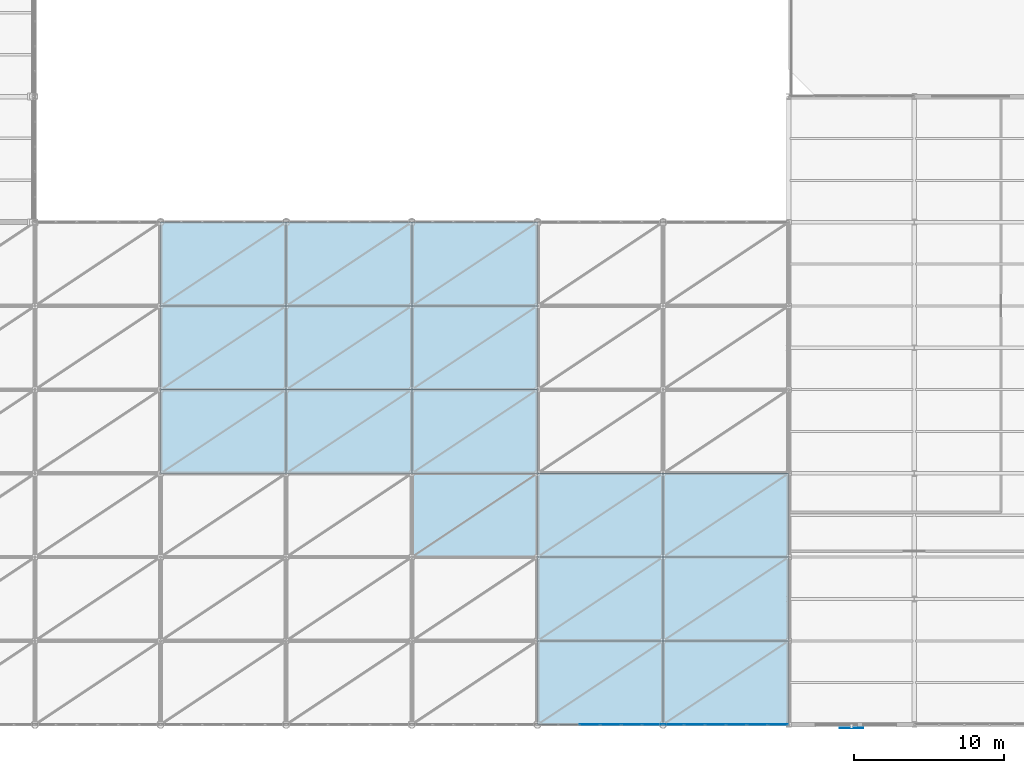
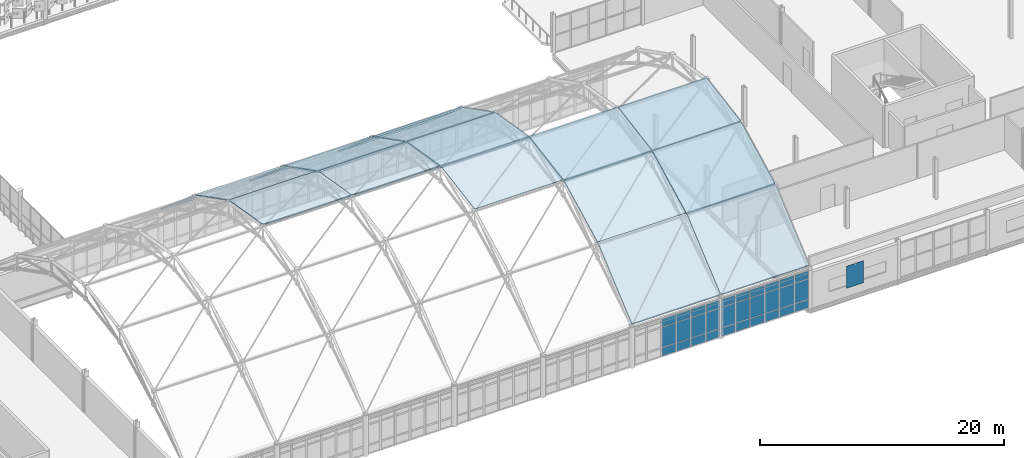
# One storey, part 139 of 184: 47 plates, 15 slabs, 3 elements without a shape of their own.
"""IFC4 building model written with IfcOpenShell, lengths in metres."""

from ifc_helpers import new_model, si_unit, direction, frame, origin, origin_2d, place, context, subcontext, project, spatial, polyline, rectangle, outline, extrude, material, layer, layer_set, type_object, element, aggregate, save


model = new_model("IFC4")

# Units and contexts
model_context = context("Model", 3, precision=1e-05, world=origin(), true_north=direction((0.0, 1.0)))
body_context = subcontext(model_context, "Body", "Model", "MODEL_VIEW")
ifc_project = project(units=[si_unit("LENGTHUNIT", "METRE"), si_unit("AREAUNIT", "SQUARE_METRE"), si_unit("VOLUMEUNIT", "CUBIC_METRE"), si_unit("PLANEANGLEUNIT", "RADIAN"), si_unit("MASSUNIT", "GRAM", prefix="KILO")], contexts=[model_context])

# Site, building, storey
site_placement = place(None, origin())
site = spatial("IfcSite", under=ifc_project, at=site_placement, CompositionType="ELEMENT")
building_placement = place(site_placement, origin())
building = spatial("IfcBuilding", under=site, at=building_placement, Name="Qalvenar Corner Mobility Hub", CompositionType="ELEMENT")
storey_placement = place(building_placement, frame((0.0, 0.0, 9.0)))
storey = spatial("IfcBuildingStorey", under=building, at=storey_placement, Name="L02", CompositionType="ELEMENT", Elevation=9.0)

# Curtain wall, plates
ifc_material_1 = material(Name="Anodised Aluminium and Low-E Glazing", Category="aluminium")
ifc_layer_1 = layer(ifc_material_1, 0.179931640625)
ifc_layer_set_1 = layer_set([ifc_layer_1], Name="Anodised Aluminium and Low-E Glazing")
curtain_wall_type = type_object("IfcCurtainWallType", Name="CW-CONC-84X42", PredefinedType="NOTDEFINED", material=ifc_layer_set_1)
curtain_wall_1_placement = place(storey_placement, origin())
curtain_wall_1 = element("IfcCurtainWall", 1, at=curtain_wall_1_placement, inside=storey, type_object=curtain_wall_type, Name="Glazed Curtain Wall CW-V1-L02-S5", PredefinedType="NOTDEFINED")
ifc_material_2 = material(Name="Solar-Control Low-E Double Glazing", Category="glass")
ifc_layer_2 = layer(ifc_material_2, 0.028076171875)
ifc_layer_set_2 = layer_set([ifc_layer_2], Name="Solar-Control Low-E Double Glazing")
plate_type_1 = type_object("IfcPlateType", Name="PLT-CWP-GLZ1", PredefinedType="CURTAIN_PANEL", material=ifc_layer_set_2)
plate_1_placement = place(storey_placement, frame((95.89990234375, 0.0, 0.05517578125), z_axis=(0.0, 0.0, 1.0), x_axis=(1.0, 0.0, 0.0)))
plate_1 = element("IfcPlate", 2, at=plate_1_placement, type_object=plate_type_1, Name="CW-02 panel 3.1", PredefinedType="CURTAIN_PANEL", context=body_context, shape_type="SweptSolid", body=[
    extrude(rectangle(XDim=1.340087890625, YDim=0.028076171875, at=origin_2d()), origin(), (0.0, 0.0, 1.0), 0.8173828125),
])
plate_2_placement = place(storey_placement, frame((95.89990234375, 0.0, 0.927490234375), z_axis=(0.0, 0.0, 1.0), x_axis=(1.0, 0.0, 0.0)))
plate_2 = element("IfcPlate", 3, at=plate_2_placement, type_object=plate_type_1, Name="CW-02 panel 3.2", PredefinedType="CURTAIN_PANEL", context=body_context, shape_type="SweptSolid", body=[
    extrude(rectangle(XDim=1.340087890625, YDim=0.028076171875, at=origin_2d()), origin(), (0.0, 0.0, 1.0), 1.9951171875),
])
plate_3_placement = place(storey_placement, frame((95.89990234375, 0.0, 2.9775390625), z_axis=(0.0, 0.0, 1.0), x_axis=(1.0, 0.0, 0.0)))
plate_3 = element("IfcPlate", 4, at=plate_3_placement, type_object=plate_type_1, Name="CW-02 panel 3.3", PredefinedType="CURTAIN_PANEL", context=body_context, shape_type="SweptSolid", body=[
    extrude(rectangle(XDim=1.340087890625, YDim=0.028076171875, at=origin_2d()), origin(), (0.0, 0.0, 1.0), 0.767578125),
])
plate_4_placement = place(storey_placement, frame((97.300048828125, 0.0, 0.05517578125), z_axis=(0.0, 0.0, 1.0), x_axis=(1.0, 0.0, 0.0)))
plate_4 = element("IfcPlate", 5, at=plate_4_placement, type_object=plate_type_1, Name="CW-02 panel 4.1", PredefinedType="CURTAIN_PANEL", context=body_context, shape_type="SweptSolid", body=[
    extrude(rectangle(XDim=1.340087890625, YDim=0.028076171875, at=origin_2d()), origin(), (0.0, 0.0, 1.0), 0.8173828125),
])
plate_5_placement = place(storey_placement, frame((97.300048828125, 0.0, 0.927490234375), z_axis=(0.0, 0.0, 1.0), x_axis=(1.0, 0.0, 0.0)))
plate_5 = element("IfcPlate", 6, at=plate_5_placement, type_object=plate_type_1, Name="CW-02 panel 4.2", PredefinedType="CURTAIN_PANEL", context=body_context, shape_type="SweptSolid", body=[
    extrude(rectangle(XDim=1.340087890625, YDim=0.028076171875, at=origin_2d()), origin(), (0.0, 0.0, 1.0), 1.9951171875),
])
plate_6_placement = place(storey_placement, frame((97.300048828125, 0.0, 2.9775390625), z_axis=(0.0, 0.0, 1.0), x_axis=(1.0, 0.0, 0.0)))
plate_6 = element("IfcPlate", 7, at=plate_6_placement, type_object=plate_type_1, Name="CW-02 panel 4.3", PredefinedType="CURTAIN_PANEL", context=body_context, shape_type="SweptSolid", body=[
    extrude(rectangle(XDim=1.340087890625, YDim=0.028076171875, at=origin_2d()), origin(), (0.0, 0.0, 1.0), 0.767578125),
])
plate_7_placement = place(storey_placement, frame((98.699951171875, 0.0, 0.05517578125), z_axis=(0.0, 0.0, 1.0), x_axis=(1.0, 0.0, 0.0)))
plate_7 = element("IfcPlate", 8, at=plate_7_placement, type_object=plate_type_1, Name="CW-02 panel 5.1", PredefinedType="CURTAIN_PANEL", context=body_context, shape_type="SweptSolid", body=[
    extrude(rectangle(XDim=1.340087890625, YDim=0.028076171875, at=origin_2d()), origin(), (0.0, 0.0, 1.0), 0.8173828125),
])
plate_8_placement = place(storey_placement, frame((98.699951171875, 0.0, 0.927490234375), z_axis=(0.0, 0.0, 1.0), x_axis=(1.0, 0.0, 0.0)))
plate_8 = element("IfcPlate", 9, at=plate_8_placement, type_object=plate_type_1, Name="CW-02 panel 5.2", PredefinedType="CURTAIN_PANEL", context=body_context, shape_type="SweptSolid", body=[
    extrude(rectangle(XDim=1.340087890625, YDim=0.028076171875, at=origin_2d()), origin(), (0.0, 0.0, 1.0), 1.9951171875),
])
plate_9_placement = place(storey_placement, frame((98.699951171875, 0.0, 2.9775390625), z_axis=(0.0, 0.0, 1.0), x_axis=(1.0, 0.0, 0.0)))
plate_9 = element("IfcPlate", 10, at=plate_9_placement, type_object=plate_type_1, Name="CW-02 panel 5.3", PredefinedType="CURTAIN_PANEL", context=body_context, shape_type="SweptSolid", body=[
    extrude(rectangle(XDim=1.340087890625, YDim=0.028076171875, at=origin_2d()), origin(), (0.0, 0.0, 1.0), 0.767578125),
])
plate_10_placement = place(storey_placement, frame((100.0849609375, 0.0, 0.05517578125), z_axis=(0.0, 0.0, 1.0), x_axis=(1.0, 0.0, 0.0)))
plate_10 = element("IfcPlate", 11, at=plate_10_placement, type_object=plate_type_1, Name="CW-02 panel 6.1", PredefinedType="CURTAIN_PANEL", context=body_context, shape_type="SweptSolid", body=[
    extrude(rectangle(XDim=1.31005859375, YDim=0.028076171875, at=origin_2d()), origin(), (0.0, 0.0, 1.0), 0.8173828125),
])
plate_11_placement = place(storey_placement, frame((100.0849609375, 0.0, 0.927490234375), z_axis=(0.0, 0.0, 1.0), x_axis=(1.0, 0.0, 0.0)))
plate_11 = element("IfcPlate", 12, at=plate_11_placement, type_object=plate_type_1, Name="CW-02 panel 6.2", PredefinedType="CURTAIN_PANEL", context=body_context, shape_type="SweptSolid", body=[
    extrude(rectangle(XDim=1.31005859375, YDim=0.028076171875, at=origin_2d()), origin(), (0.0, 0.0, 1.0), 1.9951171875),
])
plate_12_placement = place(storey_placement, frame((100.0849609375, 0.0, 2.9775390625), z_axis=(0.0, 0.0, 1.0), x_axis=(1.0, 0.0, 0.0)))
plate_12 = element("IfcPlate", 13, at=plate_12_placement, type_object=plate_type_1, Name="CW-02 panel 6.3", PredefinedType="CURTAIN_PANEL", context=body_context, shape_type="SweptSolid", body=[
    extrude(rectangle(XDim=1.31005859375, YDim=0.028076171875, at=origin_2d()), origin(), (0.0, 0.0, 1.0), 0.767578125),
])
aggregate(curtain_wall_1, [plate_1, plate_2, plate_3, plate_4, plate_5, plate_6, plate_7, plate_8, plate_9, plate_10, plate_11, plate_12])

curtain_wall_2_placement = place(storey_placement, origin())
curtain_wall_2 = element("IfcCurtainWall", 14, at=curtain_wall_2_placement, inside=storey, type_object=curtain_wall_type, Name="Glazed Curtain Wall CW-V1-L02-S6", PredefinedType="NOTDEFINED")
plate_13_placement = place(storey_placement, frame((101.514892578125, 0.0, 0.05517578125), z_axis=(0.0, 0.0, 1.0), x_axis=(1.0, 0.0, 0.0)))
plate_13 = element("IfcPlate", 15, at=plate_13_placement, type_object=plate_type_1, Name="CW-02 panel 1.1", PredefinedType="CURTAIN_PANEL", context=body_context, shape_type="SweptSolid", body=[
    extrude(rectangle(XDim=1.31005859375, YDim=0.028076171875, at=origin_2d()), origin(), (0.0, 0.0, 1.0), 0.8173828125),
])
plate_14_placement = place(storey_placement, frame((101.514892578125, 0.0, 0.927490234375), z_axis=(0.0, 0.0, 1.0), x_axis=(1.0, 0.0, 0.0)))
plate_14 = element("IfcPlate", 16, at=plate_14_placement, type_object=plate_type_1, Name="CW-02 panel 1.2", PredefinedType="CURTAIN_PANEL", context=body_context, shape_type="SweptSolid", body=[
    extrude(rectangle(XDim=1.31005859375, YDim=0.028076171875, at=origin_2d()), origin(), (0.0, 0.0, 1.0), 1.9951171875),
])
plate_15_placement = place(storey_placement, frame((101.514892578125, 0.0, 2.9775390625), z_axis=(0.0, 0.0, 1.0), x_axis=(1.0, 0.0, 0.0)))
plate_15 = element("IfcPlate", 17, at=plate_15_placement, type_object=plate_type_1, Name="CW-02 panel 1.3", PredefinedType="CURTAIN_PANEL", context=body_context, shape_type="SweptSolid", body=[
    extrude(rectangle(XDim=1.31005859375, YDim=0.028076171875, at=origin_2d()), origin(), (0.0, 0.0, 1.0), 0.767578125),
])
plate_16_placement = place(storey_placement, frame((102.89990234375, 0.0, 0.05517578125), z_axis=(0.0, 0.0, 1.0), x_axis=(1.0, 0.0, 0.0)))
plate_16 = element("IfcPlate", 18, at=plate_16_placement, type_object=plate_type_1, Name="CW-02 panel 2.1", PredefinedType="CURTAIN_PANEL", context=body_context, shape_type="SweptSolid", body=[
    extrude(rectangle(XDim=1.340087890625, YDim=0.028076171875, at=origin_2d()), origin(), (0.0, 0.0, 1.0), 0.8173828125),
])
plate_17_placement = place(storey_placement, frame((102.89990234375, 0.0, 0.927490234375), z_axis=(0.0, 0.0, 1.0), x_axis=(1.0, 0.0, 0.0)))
plate_17 = element("IfcPlate", 19, at=plate_17_placement, type_object=plate_type_1, Name="CW-02 panel 2.2", PredefinedType="CURTAIN_PANEL", context=body_context, shape_type="SweptSolid", body=[
    extrude(rectangle(XDim=1.340087890625, YDim=0.028076171875, at=origin_2d()), origin(), (0.0, 0.0, 1.0), 1.9951171875),
])
plate_18_placement = place(storey_placement, frame((102.89990234375, 0.0, 2.9775390625), z_axis=(0.0, 0.0, 1.0), x_axis=(1.0, 0.0, 0.0)))
plate_18 = element("IfcPlate", 20, at=plate_18_placement, type_object=plate_type_1, Name="CW-02 panel 2.3", PredefinedType="CURTAIN_PANEL", context=body_context, shape_type="SweptSolid", body=[
    extrude(rectangle(XDim=1.340087890625, YDim=0.028076171875, at=origin_2d()), origin(), (0.0, 0.0, 1.0), 0.767578125),
])
plate_19_placement = place(storey_placement, frame((104.300048828125, 0.0, 0.05517578125), z_axis=(0.0, 0.0, 1.0), x_axis=(1.0, 0.0, 0.0)))
plate_19 = element("IfcPlate", 21, at=plate_19_placement, type_object=plate_type_1, Name="CW-02 panel 3.1", PredefinedType="CURTAIN_PANEL", context=body_context, shape_type="SweptSolid", body=[
    extrude(rectangle(XDim=1.340087890625, YDim=0.028076171875, at=origin_2d()), origin(), (0.0, 0.0, 1.0), 0.8173828125),
])
plate_20_placement = place(storey_placement, frame((104.300048828125, 0.0, 0.927490234375), z_axis=(0.0, 0.0, 1.0), x_axis=(1.0, 0.0, 0.0)))
plate_20 = element("IfcPlate", 22, at=plate_20_placement, type_object=plate_type_1, Name="CW-02 panel 3.2", PredefinedType="CURTAIN_PANEL", context=body_context, shape_type="SweptSolid", body=[
    extrude(rectangle(XDim=1.340087890625, YDim=0.028076171875, at=origin_2d()), origin(), (0.0, 0.0, 1.0), 1.9951171875),
])
plate_21_placement = place(storey_placement, frame((104.300048828125, 0.0, 2.9775390625), z_axis=(0.0, 0.0, 1.0), x_axis=(1.0, 0.0, 0.0)))
plate_21 = element("IfcPlate", 23, at=plate_21_placement, type_object=plate_type_1, Name="CW-02 panel 3.3", PredefinedType="CURTAIN_PANEL", context=body_context, shape_type="SweptSolid", body=[
    extrude(rectangle(XDim=1.340087890625, YDim=0.028076171875, at=origin_2d()), origin(), (0.0, 0.0, 1.0), 0.767578125),
])
plate_22_placement = place(storey_placement, frame((105.699951171875, 0.0, 0.05517578125), z_axis=(0.0, 0.0, 1.0), x_axis=(1.0, 0.0, 0.0)))
plate_22 = element("IfcPlate", 24, at=plate_22_placement, type_object=plate_type_1, Name="CW-02 panel 4.1", PredefinedType="CURTAIN_PANEL", context=body_context, shape_type="SweptSolid", body=[
    extrude(rectangle(XDim=1.340087890625, YDim=0.028076171875, at=origin_2d()), origin(), (0.0, 0.0, 1.0), 0.8173828125),
])
plate_23_placement = place(storey_placement, frame((105.699951171875, 0.0, 0.927490234375), z_axis=(0.0, 0.0, 1.0), x_axis=(1.0, 0.0, 0.0)))
plate_23 = element("IfcPlate", 25, at=plate_23_placement, type_object=plate_type_1, Name="CW-02 panel 4.2", PredefinedType="CURTAIN_PANEL", context=body_context, shape_type="SweptSolid", body=[
    extrude(rectangle(XDim=1.340087890625, YDim=0.028076171875, at=origin_2d()), origin(), (0.0, 0.0, 1.0), 1.9951171875),
])
plate_24_placement = place(storey_placement, frame((105.699951171875, 0.0, 2.9775390625), z_axis=(0.0, 0.0, 1.0), x_axis=(1.0, 0.0, 0.0)))
plate_24 = element("IfcPlate", 26, at=plate_24_placement, type_object=plate_type_1, Name="CW-02 panel 4.3", PredefinedType="CURTAIN_PANEL", context=body_context, shape_type="SweptSolid", body=[
    extrude(rectangle(XDim=1.340087890625, YDim=0.028076171875, at=origin_2d()), origin(), (0.0, 0.0, 1.0), 0.767578125),
])
plate_25_placement = place(storey_placement, frame((107.10009765625, 0.0, 0.05517578125), z_axis=(0.0, 0.0, 1.0), x_axis=(1.0, 0.0, 0.0)))
plate_25 = element("IfcPlate", 27, at=plate_25_placement, type_object=plate_type_1, Name="CW-02 panel 5.1", PredefinedType="CURTAIN_PANEL", context=body_context, shape_type="SweptSolid", body=[
    extrude(rectangle(XDim=1.340087890625, YDim=0.028076171875, at=origin_2d()), origin(), (0.0, 0.0, 1.0), 0.8173828125),
])
plate_26_placement = place(storey_placement, frame((107.10009765625, 0.0, 0.927490234375), z_axis=(0.0, 0.0, 1.0), x_axis=(1.0, 0.0, 0.0)))
plate_26 = element("IfcPlate", 28, at=plate_26_placement, type_object=plate_type_1, Name="CW-02 panel 5.2", PredefinedType="CURTAIN_PANEL", context=body_context, shape_type="SweptSolid", body=[
    extrude(rectangle(XDim=1.340087890625, YDim=0.028076171875, at=origin_2d()), origin(), (0.0, 0.0, 1.0), 1.9951171875),
])
plate_27_placement = place(storey_placement, frame((107.10009765625, 0.0, 2.9775390625), z_axis=(0.0, 0.0, 1.0), x_axis=(1.0, 0.0, 0.0)))
plate_27 = element("IfcPlate", 29, at=plate_27_placement, type_object=plate_type_1, Name="CW-02 panel 5.3", PredefinedType="CURTAIN_PANEL", context=body_context, shape_type="SweptSolid", body=[
    extrude(rectangle(XDim=1.340087890625, YDim=0.028076171875, at=origin_2d()), origin(), (0.0, 0.0, 1.0), 0.767578125),
])
plate_28_placement = place(storey_placement, frame((108.485107421875, 0.0, 0.05517578125), z_axis=(0.0, 0.0, 1.0), x_axis=(1.0, 0.0, 0.0)))
plate_28 = element("IfcPlate", 30, at=plate_28_placement, type_object=plate_type_1, Name="CW-02 panel 6.1", PredefinedType="CURTAIN_PANEL", context=body_context, shape_type="SweptSolid", body=[
    extrude(rectangle(XDim=1.31005859375, YDim=0.028076171875, at=origin_2d()), origin(), (0.0, 0.0, 1.0), 0.8173828125),
])
plate_29_placement = place(storey_placement, frame((108.485107421875, 0.0, 0.927490234375), z_axis=(0.0, 0.0, 1.0), x_axis=(1.0, 0.0, 0.0)))
plate_29 = element("IfcPlate", 31, at=plate_29_placement, type_object=plate_type_1, Name="CW-02 panel 6.2", PredefinedType="CURTAIN_PANEL", context=body_context, shape_type="SweptSolid", body=[
    extrude(rectangle(XDim=1.31005859375, YDim=0.028076171875, at=origin_2d()), origin(), (0.0, 0.0, 1.0), 1.9951171875),
])
plate_30_placement = place(storey_placement, frame((108.485107421875, 0.0, 2.9775390625), z_axis=(0.0, 0.0, 1.0), x_axis=(1.0, 0.0, 0.0)))
plate_30 = element("IfcPlate", 32, at=plate_30_placement, type_object=plate_type_1, Name="CW-02 panel 6.3", PredefinedType="CURTAIN_PANEL", context=body_context, shape_type="SweptSolid", body=[
    extrude(rectangle(XDim=1.31005859375, YDim=0.028076171875, at=origin_2d()), origin(), (0.0, 0.0, 1.0), 0.767578125),
])
aggregate(curtain_wall_2, [plate_13, plate_14, plate_15, plate_16, plate_17, plate_18, plate_19, plate_20, plate_21, plate_22, plate_23, plate_24, plate_25, plate_26, plate_27, plate_28, plate_29, plate_30])

# Plates
ifc_material_3 = material(Name="Perforated Ochre Sun-Louvre Aluminium", Category="aluminium")
ifc_layer_3 = layer(ifc_material_3, 0.031982421875)
ifc_layer_set_3 = layer_set([ifc_layer_3], Name="Perforated Ochre Sun-Louvre Aluminium")
plate_type_2 = type_object("IfcPlateType", Name="PLT-SCR-WKS", PredefinedType="SHEET", material=ifc_layer_set_3)
plate_31_placement = place(storey_placement, frame((113.39990234375, -0.219970703125, 0.89990234375), z_axis=(0.0, 0.0, 1.0), x_axis=(1.0, 0.0, 0.0)))
element("IfcPlate", 33, at=plate_31_placement, inside=storey, type_object=plate_type_2, Name="Workshop Sun Louvre SC3-L02-0", PredefinedType="SHEET", context=body_context, shape_type="SweptSolid", body=[
    extrude(rectangle(XDim=1.60009765625, YDim=0.031982421875, at=origin_2d()), origin(), (0.0, 0.0, 1.0), 2.199951171875),
])
ifc_material_4 = material(Name="Insulated Standing-Seam Aluminium Roof Cassette", Category="aluminium")
ifc_layer_4 = layer(ifc_material_4, 0.0849609375)
ifc_layer_set_4 = layer_set([ifc_layer_4], Name="Insulated Standing-Seam Aluminium Roof Cassette")
plate_type_3 = type_object("IfcPlateType", Name="PLT-SFR-CAS1", PredefinedType="SHEET", material=ifc_layer_set_4)
plate_32_placement = place(storey_placement, frame((67.199951171875, 28.0, 9.06787109375), z_axis=(0.0, 0.64904710972, 0.760748216799), x_axis=(1.0, 0.0, 0.0)))
element("IfcPlate", 34, at=plate_32_placement, inside=storey, type_object=plate_type_3, Name="Space Frame Roof Cassette RPC-3-6", PredefinedType="SHEET", context=body_context, shape_type="SweptSolid", body=[
    extrude(outline(polyline([(0.0, 0.0), (8.400146484375, 0.0), (8.400146484375, 7.361302376507519), (0.0, 7.361302376507519), (0.0, 0.0)])), origin(), (0.0, 0.0, -1.0), 0.0849609375),
])
for number, where, z_axis, x_axis, name in (
    (35, (75.60009765625, 28.0, 9.06787109375), (0.0, 0.64904710972, 0.760748216799), (1.0, 0.0, 0.0), "Space Frame Roof Cassette RPC-4-6"),
    (36, (84.0, 28.0, 9.06787109375), (0.0, 0.64904710972, 0.760748216799), (1.0, 0.0, 0.0), "Space Frame Roof Cassette RPC-5-6"),
):
    element("IfcPlate", number, at=place(storey_placement, frame(where, z_axis=z_axis, x_axis=x_axis)), inside=storey, type_object=plate_type_3, Name=name, PredefinedType="SHEET", context=body_context, shape_type="SweptSolid", body=[
        extrude(outline(polyline([(0.0, 0.0), (8.39990234375, 0.0), (8.39990234375, 7.361302376507519), (0.0, 7.361302376507519), (0.0, 0.0)])), origin(), (0.0, 0.0, -1.0), 0.0849609375),
    ])
plate_33_placement = place(storey_placement, frame((92.39990234375, 0.0, 4.2900390625), z_axis=(0.0, -0.64904710972, 0.760748216799), x_axis=(1.0, 0.0, 0.0)))
element("IfcPlate", 37, at=plate_33_placement, inside=storey, type_object=plate_type_3, Name="Space Frame Roof Cassette RPC-6-1", PredefinedType="SHEET", context=body_context, shape_type="SweptSolid", body=[
    extrude(outline(polyline([(0.0, 0.0), (8.400146484375, 0.0), (8.400146484375, 7.361302376507519), (0.0, 7.361302376507519), (0.0, 0.0)])), origin(), (0.0, 0.0, -1.0), 0.0849609375),
])
plate_34_placement = place(storey_placement, frame((100.800048828125, 0.0, 4.2900390625), z_axis=(0.0, -0.64904710972, 0.760748216799), x_axis=(1.0, 0.0, 0.0)))
element("IfcPlate", 38, at=plate_34_placement, inside=storey, type_object=plate_type_3, Name="Space Frame Roof Cassette RPC-7-1", PredefinedType="SHEET", context=body_context, shape_type="SweptSolid", body=[
    extrude(outline(polyline([(0.0, 0.0), (8.39990234375, 0.0), (8.39990234375, 7.361302376507519), (0.0, 7.361302376507519), (0.0, 0.0)])), origin(), (0.0, 0.0, -1.0), 0.0849609375),
])
ifc_material_5 = material(Name="Insulated Standing-Seam Aluminium Roof Cassette", Category="aluminium")
ifc_layer_5 = layer(ifc_material_5, 0.080078125)
ifc_layer_set_5 = layer_set([ifc_layer_5], Name="Insulated Standing-Seam Aluminium Roof Cassette")
plate_type_4 = type_object("IfcPlateType", Name="PLT-SFR-CAS2", PredefinedType="SHEET", material=ifc_layer_set_5)
plate_35_placement = place(storey_placement, frame((67.199951171875, 16.800048828125, 12.885009765625), z_axis=(0.0, 0.168209888264, 0.985751202632), x_axis=(1.0, 0.0, 0.0)))
element("IfcPlate", 39, at=plate_35_placement, inside=storey, type_object=plate_type_4, Name="Space Frame Roof Cassette RPC-3-4", PredefinedType="SHEET", context=body_context, shape_type="SweptSolid", body=[
    extrude(outline(polyline([(0.0, 0.0), (8.400146484375, 0.0), (8.400146484375, 5.6807980560138915), (0.0, 5.6807980560138915), (0.0, 0.0)])), origin(), (0.0, 0.0, -1.0), 0.080078125),
])
plate_36_placement = place(storey_placement, frame((67.199951171875, 22.39990234375, 11.929443359375), z_axis=(0.0, 0.455668912509, 0.890149337006), x_axis=(1.0, 0.0, 0.0)))
element("IfcPlate", 40, at=plate_36_placement, inside=storey, type_object=plate_type_4, Name="Space Frame Roof Cassette RPC-3-5", PredefinedType="SHEET", context=body_context, shape_type="SweptSolid", body=[
    extrude(outline(polyline([(0.0, 0.0), (8.400146484375, 0.0), (8.400146484375, 6.29118893138003), (0.0, 6.29118893138003), (0.0, 0.0)])), origin(), (0.0, 0.0, -1.0), 0.080078125),
])
plate_37_placement = place(storey_placement, frame((75.60009765625, 16.800048828125, 12.885009765625), z_axis=(0.0, 0.168209888264, 0.985751202632), x_axis=(1.0, 0.0, 0.0)))
element("IfcPlate", 41, at=plate_37_placement, inside=storey, type_object=plate_type_4, Name="Space Frame Roof Cassette RPC-4-4", PredefinedType="SHEET", context=body_context, shape_type="SweptSolid", body=[
    extrude(outline(polyline([(0.0, 0.0), (8.39990234375, 0.0), (8.39990234375, 5.6807980560138915), (0.0, 5.6807980560138915), (0.0, 0.0)])), origin(), (0.0, 0.0, -1.0), 0.080078125),
])
plate_38_placement = place(storey_placement, frame((75.60009765625, 22.39990234375, 11.929443359375), z_axis=(0.0, 0.455668912509, 0.890149337006), x_axis=(1.0, 0.0, 0.0)))
element("IfcPlate", 42, at=plate_38_placement, inside=storey, type_object=plate_type_4, Name="Space Frame Roof Cassette RPC-4-5", PredefinedType="SHEET", context=body_context, shape_type="SweptSolid", body=[
    extrude(outline(polyline([(0.0, 0.0), (8.39990234375, 0.0), (8.39990234375, 6.29118893138003), (0.0, 6.29118893138003), (0.0, 0.0)])), origin(), (0.0, 0.0, -1.0), 0.080078125),
])
plate_39_placement = place(storey_placement, frame((84.0, 11.199951171875, 11.929443359375), z_axis=(0.0, -0.1682027625, 0.985752418555), x_axis=(1.0, 0.0, 0.0)))
element("IfcPlate", 43, at=plate_39_placement, inside=storey, type_object=plate_type_4, Name="Space Frame Roof Cassette RPC-5-3", PredefinedType="SHEET", context=body_context, shape_type="SweptSolid", body=[
    extrude(outline(polyline([(0.0, 0.0), (8.39990234375, 0.0), (8.39990234375, 5.681038718077028), (0.0, 5.681038718077028), (0.0, 0.0)])), origin(), (0.0, 0.0, -1.0), 0.080078125),
])
plate_40_placement = place(storey_placement, frame((84.0, 16.800048828125, 12.885009765625), z_axis=(0.0, 0.168209888264, 0.985751202632), x_axis=(1.0, 0.0, 0.0)))
element("IfcPlate", 44, at=plate_40_placement, inside=storey, type_object=plate_type_4, Name="Space Frame Roof Cassette RPC-5-4", PredefinedType="SHEET", context=body_context, shape_type="SweptSolid", body=[
    extrude(outline(polyline([(0.0, 0.0), (8.39990234375, 0.0), (8.39990234375, 5.6807980560138915), (0.0, 5.6807980560138915), (0.0, 0.0)])), origin(), (0.0, 0.0, -1.0), 0.080078125),
])
plate_41_placement = place(storey_placement, frame((84.0, 22.39990234375, 11.929443359375), z_axis=(0.0, 0.455668912509, 0.890149337006), x_axis=(1.0, 0.0, 0.0)))
element("IfcPlate", 45, at=plate_41_placement, inside=storey, type_object=plate_type_4, Name="Space Frame Roof Cassette RPC-5-5", PredefinedType="SHEET", context=body_context, shape_type="SweptSolid", body=[
    extrude(outline(polyline([(0.0, 0.0), (8.39990234375, 0.0), (8.39990234375, 6.29118893138003), (0.0, 6.29118893138003), (0.0, 0.0)])), origin(), (0.0, 0.0, -1.0), 0.080078125),
])
plate_42_placement = place(storey_placement, frame((92.39990234375, 5.60009765625, 9.062744140625), z_axis=(0.0, -0.45568465352, 0.890141278981), x_axis=(1.0, 0.0, 0.0)))
element("IfcPlate", 46, at=plate_42_placement, inside=storey, type_object=plate_type_4, Name="Space Frame Roof Cassette RPC-6-2", PredefinedType="SHEET", context=body_context, shape_type="SweptSolid", body=[
    extrude(outline(polyline([(0.0, 0.0), (8.400146484375, 0.0), (8.400146484375, 6.290971610748179), (0.0, 6.290971610748179), (0.0, 0.0)])), origin(), (0.0, 0.0, -1.0), 0.080078125),
])
plate_43_placement = place(storey_placement, frame((92.39990234375, 11.199951171875, 11.929443359375), z_axis=(0.0, -0.1682027625, 0.985752418555), x_axis=(1.0, 0.0, 0.0)))
element("IfcPlate", 47, at=plate_43_placement, inside=storey, type_object=plate_type_4, Name="Space Frame Roof Cassette RPC-6-3", PredefinedType="SHEET", context=body_context, shape_type="SweptSolid", body=[
    extrude(outline(polyline([(0.0, 0.0), (8.400146484375, 0.0), (8.400146484375, 5.681038718077028), (0.0, 5.681038718077028), (0.0, 0.0)])), origin(), (0.0, 0.0, -1.0), 0.080078125),
])
plate_44_placement = place(storey_placement, frame((100.800048828125, 5.60009765625, 9.062744140625), z_axis=(0.0, -0.45568465352, 0.890141278981), x_axis=(1.0, 0.0, 0.0)))
element("IfcPlate", 48, at=plate_44_placement, inside=storey, type_object=plate_type_4, Name="Space Frame Roof Cassette RPC-7-2", PredefinedType="SHEET", context=body_context, shape_type="SweptSolid", body=[
    extrude(outline(polyline([(0.0, 0.0), (8.39990234375, 0.0), (8.39990234375, 6.290971610748178), (0.0, 6.290971610748178), (0.0, 0.0)])), origin(), (0.0, 0.0, -1.0), 0.080078125),
])
plate_45_placement = place(storey_placement, frame((100.800048828125, 11.199951171875, 11.929443359375), z_axis=(0.0, -0.1682027625, 0.985752418555), x_axis=(1.0, 0.0, 0.0)))
element("IfcPlate", 49, at=plate_45_placement, inside=storey, type_object=plate_type_4, Name="Space Frame Roof Cassette RPC-7-3", PredefinedType="SHEET", context=body_context, shape_type="SweptSolid", body=[
    extrude(outline(polyline([(0.0, 0.0), (8.39990234375, 0.0), (8.39990234375, 5.681038718077028), (0.0, 5.681038718077028), (0.0, 0.0)])), origin(), (0.0, 0.0, -1.0), 0.080078125),
])

# Roof, slabs
ifc_material_6 = material(Name="Steel S355", Category="steel")
roof_type = type_object("IfcRoofType", Name="ROOF-SPACEFRAME", PredefinedType="BARREL_ROOF", material=ifc_material_6)
roof_placement = place(storey_placement, origin())
roof = element("IfcRoof", 50, at=roof_placement, inside=storey, type_object=roof_type, Name="Volume 1 Bus Concourse Barrel Space-Frame Roof", PredefinedType="BARREL_ROOF")
ifc_material_7 = material(Name="Concrete C35/45", Category="concrete")
ifc_layer_6 = layer(ifc_material_7, 0.139892578125)
ifc_layer_set_6 = layer_set([ifc_layer_6], Name="Concrete C35/45")
slab_type = type_object("IfcSlabType", Name="SLB-CAN140", PredefinedType="ROOF", material=ifc_layer_set_6)
slab_1_placement = place(storey_placement, frame((67.199951171875, 16.800048828125, 12.800048828125), z_axis=(0.0, 0.168209888264, 0.985751202632), x_axis=(1.0, 0.0, 0.0)))
slab_1 = element("IfcSlab", 51, at=slab_1_placement, type_object=slab_type, Name="Space Frame Sloped Roof Deck RFS-3-4", PredefinedType="ROOF", context=body_context, shape_type="SweptSolid", body=[
    extrude(outline(polyline([(0.0, 0.0), (8.400146484375, 0.0), (8.400146484375, 5.6807980560138915), (0.0, 5.6807980560138915), (0.0, 0.0)])), origin(), (0.0, 0.0, -1.0), 0.139892578125),
])
slab_2_placement = place(storey_placement, frame((67.199951171875, 22.39990234375, 11.844482421875), z_axis=(0.0, 0.455668912509, 0.890149337006), x_axis=(1.0, 0.0, 0.0)))
slab_2 = element("IfcSlab", 52, at=slab_2_placement, type_object=slab_type, Name="Space Frame Sloped Roof Deck RFS-3-5", PredefinedType="ROOF", context=body_context, shape_type="SweptSolid", body=[
    extrude(outline(polyline([(0.0, 0.0), (8.400146484375, 0.0), (8.400146484375, 6.29118893138003), (0.0, 6.29118893138003), (0.0, 0.0)])), origin(), (0.0, 0.0, -1.0), 0.139892578125),
])
slab_3_placement = place(storey_placement, frame((67.199951171875, 28.0, 8.977783203125), z_axis=(0.0, 0.64904710972, 0.760748216799), x_axis=(1.0, 0.0, 0.0)))
slab_3 = element("IfcSlab", 53, at=slab_3_placement, type_object=slab_type, Name="Space Frame Sloped Roof Deck RFS-3-6", PredefinedType="ROOF", context=body_context, shape_type="SweptSolid", body=[
    extrude(outline(polyline([(0.0, 0.0), (8.400146484375, 0.0), (8.400146484375, 7.361302376507519), (0.0, 7.361302376507519), (0.0, 0.0)])), origin(), (0.0, 0.0, -1.0), 0.139892578125),
])
slab_4_placement = place(storey_placement, frame((75.60009765625, 16.800048828125, 12.800048828125), z_axis=(0.0, 0.168209888264, 0.985751202632), x_axis=(1.0, 0.0, 0.0)))
slab_4 = element("IfcSlab", 54, at=slab_4_placement, type_object=slab_type, Name="Space Frame Sloped Roof Deck RFS-4-4", PredefinedType="ROOF", context=body_context, shape_type="SweptSolid", body=[
    extrude(outline(polyline([(0.0, 0.0), (8.39990234375, 0.0), (8.39990234375, 5.6807980560138915), (0.0, 5.6807980560138915), (0.0, 0.0)])), origin(), (0.0, 0.0, -1.0), 0.139892578125),
])
slab_5_placement = place(storey_placement, frame((75.60009765625, 22.39990234375, 11.844482421875), z_axis=(0.0, 0.455668912509, 0.890149337006), x_axis=(1.0, 0.0, 0.0)))
slab_5 = element("IfcSlab", 55, at=slab_5_placement, type_object=slab_type, Name="Space Frame Sloped Roof Deck RFS-4-5", PredefinedType="ROOF", context=body_context, shape_type="SweptSolid", body=[
    extrude(outline(polyline([(0.0, 0.0), (8.39990234375, 0.0), (8.39990234375, 6.29118893138003), (0.0, 6.29118893138003), (0.0, 0.0)])), origin(), (0.0, 0.0, -1.0), 0.139892578125),
])
slab_6_placement = place(storey_placement, frame((75.60009765625, 28.0, 8.977783203125), z_axis=(0.0, 0.64904710972, 0.760748216799), x_axis=(1.0, 0.0, 0.0)))
slab_6 = element("IfcSlab", 56, at=slab_6_placement, type_object=slab_type, Name="Space Frame Sloped Roof Deck RFS-4-6", PredefinedType="ROOF", context=body_context, shape_type="SweptSolid", body=[
    extrude(outline(polyline([(0.0, 0.0), (8.39990234375, 0.0), (8.39990234375, 7.361302376507519), (0.0, 7.361302376507519), (0.0, 0.0)])), origin(), (0.0, 0.0, -1.0), 0.139892578125),
])
slab_7_placement = place(storey_placement, frame((84.0, 16.800048828125, 12.800048828125), z_axis=(0.0, 0.168209888264, 0.985751202632), x_axis=(1.0, 0.0, 0.0)))
slab_7 = element("IfcSlab", 57, at=slab_7_placement, type_object=slab_type, Name="Space Frame Sloped Roof Deck RFS-5-4", PredefinedType="ROOF", context=body_context, shape_type="SweptSolid", body=[
    extrude(outline(polyline([(0.0, 0.0), (8.39990234375, 0.0), (8.39990234375, 5.6807980560138915), (0.0, 5.6807980560138915), (0.0, 0.0)])), origin(), (0.0, 0.0, -1.0), 0.139892578125),
])
slab_8_placement = place(storey_placement, frame((84.0, 22.39990234375, 11.844482421875), z_axis=(0.0, 0.455668912509, 0.890149337006), x_axis=(1.0, 0.0, 0.0)))
slab_8 = element("IfcSlab", 58, at=slab_8_placement, type_object=slab_type, Name="Space Frame Sloped Roof Deck RFS-5-5", PredefinedType="ROOF", context=body_context, shape_type="SweptSolid", body=[
    extrude(outline(polyline([(0.0, 0.0), (8.39990234375, 0.0), (8.39990234375, 6.29118893138003), (0.0, 6.29118893138003), (0.0, 0.0)])), origin(), (0.0, 0.0, -1.0), 0.139892578125),
])
slab_9_placement = place(storey_placement, frame((84.0, 28.0, 8.977783203125), z_axis=(0.0, 0.64904710972, 0.760748216799), x_axis=(1.0, 0.0, 0.0)))
slab_9 = element("IfcSlab", 59, at=slab_9_placement, type_object=slab_type, Name="Space Frame Sloped Roof Deck RFS-5-6", PredefinedType="ROOF", context=body_context, shape_type="SweptSolid", body=[
    extrude(outline(polyline([(0.0, 0.0), (8.39990234375, 0.0), (8.39990234375, 7.361302376507519), (0.0, 7.361302376507519), (0.0, 0.0)])), origin(), (0.0, 0.0, -1.0), 0.139892578125),
])
slab_10_placement = place(storey_placement, frame((92.39990234375, 0.0, 4.199951171875), z_axis=(0.0, -0.64904710972, 0.760748216799), x_axis=(1.0, 0.0, 0.0)))
slab_10 = element("IfcSlab", 60, at=slab_10_placement, type_object=slab_type, Name="Space Frame Sloped Roof Deck RFS-6-1", PredefinedType="ROOF", context=body_context, shape_type="SweptSolid", body=[
    extrude(outline(polyline([(0.0, 0.0), (8.400146484375, 0.0), (8.400146484375, 7.361302376507519), (0.0, 7.361302376507519), (0.0, 0.0)])), origin(), (0.0, 0.0, -1.0), 0.139892578125),
])
slab_11_placement = place(storey_placement, frame((92.39990234375, 5.60009765625, 8.977783203125), z_axis=(0.0, -0.45568465352, 0.890141278981), x_axis=(1.0, 0.0, 0.0)))
slab_11 = element("IfcSlab", 61, at=slab_11_placement, type_object=slab_type, Name="Space Frame Sloped Roof Deck RFS-6-2", PredefinedType="ROOF", context=body_context, shape_type="SweptSolid", body=[
    extrude(outline(polyline([(0.0, 0.0), (8.400146484375, 0.0), (8.400146484375, 6.290971610748179), (0.0, 6.290971610748179), (0.0, 0.0)])), origin(), (0.0, 0.0, -1.0), 0.139892578125),
])
slab_12_placement = place(storey_placement, frame((92.39990234375, 11.199951171875, 11.844482421875), z_axis=(0.0, -0.1682027625, 0.985752418555), x_axis=(1.0, 0.0, 0.0)))
slab_12 = element("IfcSlab", 62, at=slab_12_placement, type_object=slab_type, Name="Space Frame Sloped Roof Deck RFS-6-3", PredefinedType="ROOF", context=body_context, shape_type="SweptSolid", body=[
    extrude(outline(polyline([(0.0, 0.0), (8.400146484375, 0.0), (8.400146484375, 5.681038718077028), (0.0, 5.681038718077028), (0.0, 0.0)])), origin(), (0.0, 0.0, -1.0), 0.139892578125),
])
slab_13_placement = place(storey_placement, frame((100.800048828125, 0.0, 4.199951171875), z_axis=(0.0, -0.64904710972, 0.760748216799), x_axis=(1.0, 0.0, 0.0)))
slab_13 = element("IfcSlab", 63, at=slab_13_placement, type_object=slab_type, Name="Space Frame Sloped Roof Deck RFS-7-1", PredefinedType="ROOF", context=body_context, shape_type="SweptSolid", body=[
    extrude(outline(polyline([(0.0, 0.0), (8.39990234375, 0.0), (8.39990234375, 7.361302376507519), (0.0, 7.361302376507519), (0.0, 0.0)])), origin(), (0.0, 0.0, -1.0), 0.139892578125),
])
slab_14_placement = place(storey_placement, frame((100.800048828125, 5.60009765625, 8.977783203125), z_axis=(0.0, -0.45568465352, 0.890141278981), x_axis=(1.0, 0.0, 0.0)))
slab_14 = element("IfcSlab", 64, at=slab_14_placement, type_object=slab_type, Name="Space Frame Sloped Roof Deck RFS-7-2", PredefinedType="ROOF", context=body_context, shape_type="SweptSolid", body=[
    extrude(outline(polyline([(0.0, 0.0), (8.39990234375, 0.0), (8.39990234375, 6.290971610748178), (0.0, 6.290971610748178), (0.0, 0.0)])), origin(), (0.0, 0.0, -1.0), 0.139892578125),
])
slab_15_placement = place(storey_placement, frame((100.800048828125, 11.199951171875, 11.844482421875), z_axis=(0.0, -0.1682027625, 0.985752418555), x_axis=(1.0, 0.0, 0.0)))
slab_15 = element("IfcSlab", 65, at=slab_15_placement, type_object=slab_type, Name="Space Frame Sloped Roof Deck RFS-7-3", PredefinedType="ROOF", context=body_context, shape_type="SweptSolid", body=[
    extrude(outline(polyline([(0.0, 0.0), (8.39990234375, 0.0), (8.39990234375, 5.681038718077028), (0.0, 5.681038718077028), (0.0, 0.0)])), origin(), (0.0, 0.0, -1.0), 0.139892578125),
])
aggregate(roof, [slab_1, slab_2, slab_3, slab_4, slab_5, slab_6, slab_7, slab_8, slab_9, slab_10, slab_11, slab_12, slab_13, slab_14, slab_15])

save(model, "model.ifc")
